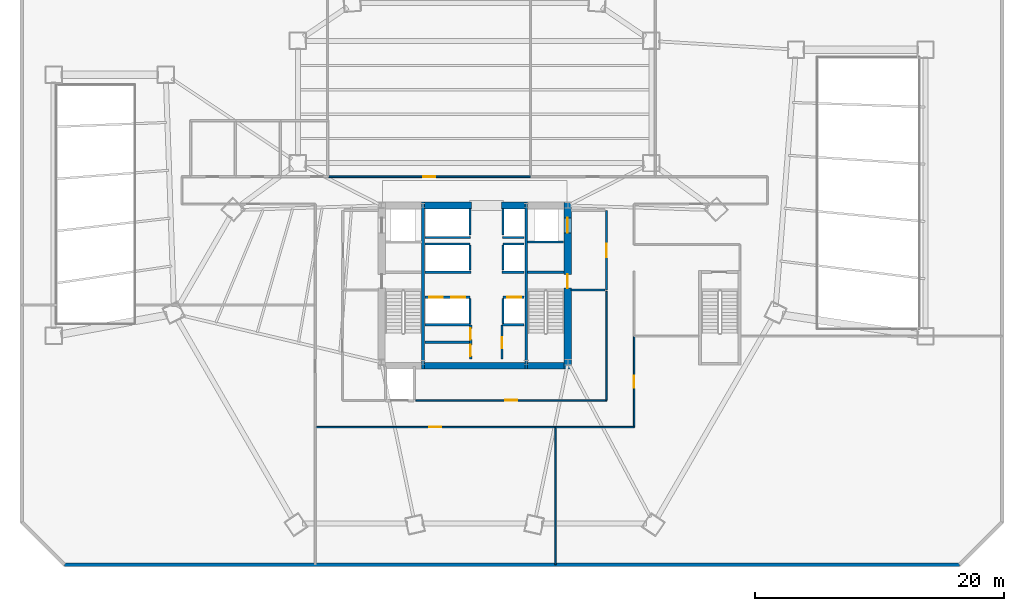
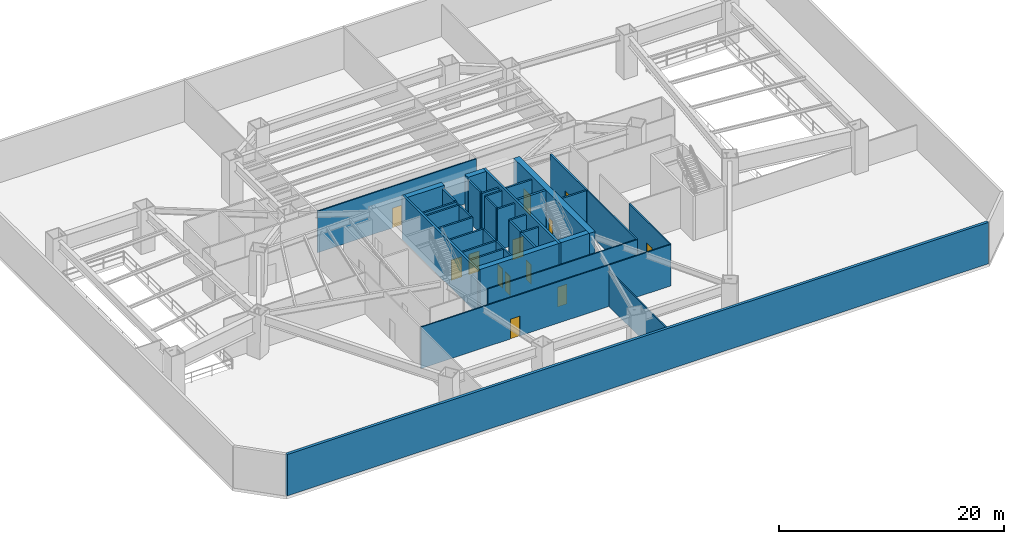
# One storey, part 6 of 11: 38 walls, 13 doors, 13 openings.
"""IFC4 building model written with IfcOpenShell, lengths in metres."""

from ifc_helpers import new_model, si_unit, direction, frame, frame_2d, origin, place, context, subcontext, project, spatial, rectangle, extrude, material, layer, layer_set, type_object, element, fill, save


model = new_model("IFC4")

# Units and contexts
model_context = context("Model", 3, precision=1e-05, world=origin(), true_north=direction((0.0, 1.0)))
body_context = subcontext(model_context, "Body", "Model", "MODEL_VIEW")
ifc_project = project(units=[si_unit("LENGTHUNIT", "METRE"), si_unit("AREAUNIT", "SQUARE_METRE"), si_unit("VOLUMEUNIT", "CUBIC_METRE"), si_unit("PLANEANGLEUNIT", "RADIAN"), si_unit("MASSUNIT", "GRAM", prefix="KILO")], contexts=[model_context])

# Site, building, storey
site_placement = place(None, origin())
site = spatial("IfcSite", under=ifc_project, at=site_placement, CompositionType="ELEMENT")
building_placement = place(site_placement, origin())
building = spatial("IfcBuilding", under=site, at=building_placement, Name="Caelisora Broadcast Tower", CompositionType="ELEMENT")
storey_placement = place(building_placement, frame((0.0, 0.0, 5.39990234375)))
storey = spatial("IfcBuildingStorey", under=building, at=storey_placement, Name="L01", CompositionType="ELEMENT", Elevation=5.39990234375)

# Wall, openings, doors
ifc_material_1 = material(Name="Concrete 65 MPa (AS 3600 S65)", Category="concrete")
ifc_layer_1 = layer(ifc_material_1, 0.60009765625, Name="Concrete 65 MPa (AS 3600 S65)")
ifc_layer_set_1 = layer_set([ifc_layer_1], Name="Concrete 65 MPa (AS 3600 S65)")
wall_type_1 = type_object("IfcWallType", Name="CW1", PredefinedType="SHEAR", material=ifc_layer_set_1)
wall_1_placement = place(storey_placement, frame((45.4599609375, 16.85009765625, 0.0), z_axis=(0.0, 0.0, 1.0), x_axis=(0.0, 1.0, 0.0)))
wall_1 = element("IfcWall", 1, at=wall_1_placement, inside=storey, type_object=wall_type_1, Name="L01 core shear wall CW1", PredefinedType="SHEAR", context=body_context, shape_type="SweptSolid", body=[
    extrude(rectangle(XDim=13.4248046875, YDim=0.60009765625, at=frame_2d((6.71240234375, 0.0))), origin(), (0.0, 0.0, 1.0), 4.800048828125),
])
opening_1_placement = place(wall_1_placement, frame((6.5, 0.0, 0.0)))
opening_1 = element("IfcOpeningElement", 2, at=opening_1_placement, cuts=wall_1, Name="Opening FD04", PredefinedType="OPENING", context=body_context, shape_type="SweptSolid", body=[
    extrude(rectangle(XDim=1.1201171875, YDim=2.14990234375, at=frame_2d((0.56005859375, 1.074951171875))), frame((0.0, 0.31201171875, 0.0), z_axis=(0.0, -1.0, 0.0), x_axis=(1.0, 0.0, 0.0)), (0.0, 0.0, 1.0), 0.6240234375),
])
opening_2_placement = place(wall_1_placement, frame((10.949951171875, 0.0, 0.0)))
opening_2 = element("IfcOpeningElement", 3, at=opening_2_placement, cuts=wall_1, Name="Opening LD04", PredefinedType="OPENING", context=body_context, shape_type="SweptSolid", body=[
    extrude(rectangle(XDim=1.199951171875, YDim=2.199951171875, at=frame_2d((0.60009765625, 1.10009765625))), frame((0.0, 0.31201171875, 0.0), z_axis=(0.0, -1.0, 0.0), x_axis=(1.0, 0.0, 0.0)), (0.0, 0.0, 1.0), 0.6240234375),
])
ifc_material_2 = material(Name="Pressurised Fire-Isolated Stair Door", Category="steel")
door_type_1 = type_object("IfcDoorType", Name="FD04", OperationType="NOTDEFINED", PredefinedType="DOOR", material=ifc_material_2)
door_1_placement = place(opening_1_placement, origin())
door_1 = element("IfcDoor", 4, at=door_1_placement, inside=storey, type_object=door_type_1, Name="L01 door FD04 (L01-DR-ST2)", OperationType="SINGLE_SWING_RIGHT", OverallHeight=2.14990234375, OverallWidth=1.1201171875, PredefinedType="DOOR", context=body_context, shape_type="SweptSolid", body=[
    extrude(rectangle(XDim=1.1201171875, YDim=2.14990234375, at=frame_2d((0.56005859375, 1.074951171875))), frame((0.0, 0.02490234375, 0.0), z_axis=(0.0, -1.0, 0.0), x_axis=(1.0, 0.0, 0.0)), (0.0, 0.0, 1.0), 0.050048828125),
])
fill(opening_1, door_1)
ifc_material_3 = material(Name="Emergency Firefighting Lift Sliding Landing Door", Category="steel")
door_type_2 = type_object("IfcDoorType", Name="LD04", OperationType="NOTDEFINED", PredefinedType="DOOR", material=ifc_material_3)
door_2_placement = place(opening_2_placement, origin())
door_2 = element("IfcDoor", 5, at=door_2_placement, inside=storey, type_object=door_type_2, Name="L01 door LD04 (L01-LD-FFL2)", OperationType="SLIDING_TO_RIGHT", OverallHeight=2.199951171875, OverallWidth=1.199951171875, PredefinedType="DOOR", context=body_context, shape_type="SweptSolid", body=[
    extrude(rectangle(XDim=1.199951171875, YDim=2.199951171875, at=frame_2d((0.60009765625, 1.10009765625))), frame((0.0, 0.02490234375, 0.0), z_axis=(0.0, -1.0, 0.0), x_axis=(1.0, 0.0, 0.0)), (0.0, 0.0, 1.0), 0.050048828125),
])
fill(opening_2, door_2)

# Walls
ifc_layer_2 = layer(ifc_material_1, 0.550048828125, Name="Concrete 65 MPa (AS 3600 S65)")
ifc_layer_set_2 = layer_set([ifc_layer_2], Name="Concrete 65 MPa (AS 3600 S65)")
wall_type_2 = type_object("IfcWallType", Name="CW4", PredefinedType="SHEAR", material=ifc_layer_set_2)
wall_2_placement = place(storey_placement, frame((33.9599609375, 17.125, 0.0), z_axis=(0.0, 0.0, 1.0), x_axis=(1.0, 0.0, 0.0)))
element("IfcWall", 6, at=wall_2_placement, inside=storey, type_object=wall_type_2, Name="L01 core shear wall CW4", PredefinedType="SHEAR", context=body_context, shape_type="SweptSolid", body=[
    extrude(rectangle(XDim=8.080078125, YDim=0.550048828125, at=frame_2d((4.0400390625, 0.0))), origin(), (0.0, 0.0, 1.0), 4.800048828125),
])
wall_3_placement = place(storey_placement, frame((42.260009765625, 17.125, 0.0), z_axis=(0.0, 0.0, 1.0), x_axis=(1.0, 0.0, 0.0)))
element("IfcWall", 7, at=wall_3_placement, inside=storey, type_object=wall_type_2, Name="L01 core shear wall CW4", PredefinedType="SHEAR", context=body_context, shape_type="SweptSolid", body=[
    extrude(rectangle(XDim=2.89990234375, YDim=0.550048828125, at=frame_2d((1.449951171875, 0.0))), origin(), (0.0, 0.0, 1.0), 4.800048828125),
])
wall_4_placement = place(storey_placement, frame((33.9599609375, 30.0, 0.0), z_axis=(0.0, 0.0, 1.0), x_axis=(1.0, 0.0, 0.0)))
element("IfcWall", 8, at=wall_4_placement, inside=storey, type_object=wall_type_2, Name="L01 core shear wall CW4", PredefinedType="SHEAR", context=body_context, shape_type="SweptSolid", body=[
    extrude(rectangle(XDim=3.780029296875, YDim=0.550048828125, at=frame_2d((1.89013671875, 0.0))), origin(), (0.0, 0.0, 1.0), 4.800048828125),
])
wall_5_placement = place(storey_placement, frame((40.159912109375, 30.0, 0.0), z_axis=(0.0, 0.0, 1.0), x_axis=(1.0, 0.0, 0.0)))
element("IfcWall", 9, at=wall_5_placement, inside=storey, type_object=wall_type_2, Name="L01 core shear wall CW4", PredefinedType="SHEAR", context=body_context, shape_type="SweptSolid", body=[
    extrude(rectangle(XDim=1.880126953125, YDim=0.550048828125, at=frame_2d((0.93994140625, 0.0))), origin(), (0.0, 0.0, 1.0), 4.800048828125),
])
ifc_material_4 = material(Name="Concrete 50 MPa (AS 3600 S50)", Category="concrete")
ifc_layer_3 = layer(ifc_material_4, 0.219970703125, Name="Concrete 50 MPa (AS 3600 S50)")
ifc_layer_set_3 = layer_set([ifc_layer_3], Name="Concrete 50 MPa (AS 3600 S50)")
wall_type_3 = type_object("IfcWallType", Name="CW7", PredefinedType="SHEAR", material=ifc_layer_set_3)
for number, where, z_axis, x_axis, name in (
    (10, (33.85009765625, 16.85009765625, 0.0), (0.0, 0.0, 1.0), (0.0, 1.0, 0.0), "L01 core shear wall CW7"),
    (11, (42.14990234375, 16.85009765625, 0.0), (0.0, 0.0, 1.0), (0.0, 1.0, 0.0), "L01 core shear wall CW7"),
):
    element("IfcWall", number, at=place(storey_placement, frame(where, z_axis=z_axis, x_axis=x_axis)), inside=storey, type_object=wall_type_3, Name=name, PredefinedType="SHEAR", context=body_context, shape_type="SweptSolid", body=[
        extrude(rectangle(XDim=13.4248046875, YDim=0.219970703125, at=frame_2d((6.71240234375, 0.0))), origin(), (0.0, 0.0, 1.0), 4.800048828125),
    ])
wall_6_placement = place(storey_placement, frame((42.260009765625, 24.639892578125, 0.0), z_axis=(0.0, 0.0, 1.0), x_axis=(1.0, 0.0, 0.0)))
element("IfcWall", 12, at=wall_6_placement, inside=storey, type_object=wall_type_3, Name="L01 core shear wall CW7", PredefinedType="SHEAR", context=body_context, shape_type="SweptSolid", body=[
    extrude(rectangle(XDim=2.89990234375, YDim=0.219970703125, at=frame_2d((1.449951171875, 0.0))), origin(), (0.0, 0.0, 1.0), 4.800048828125),
])
ifc_material_5 = material(Name="Insulated Terracotta Spandrel Wall System", Category="masonry")
ifc_layer_4 = layer(ifc_material_5, 0.280029296875, Name="Insulated Terracotta Spandrel Wall System")
ifc_layer_set_4 = layer_set([ifc_layer_4], Name="Insulated Terracotta Spandrel Wall System")
wall_type_4 = type_object("IfcWallType", Name="EW1", PredefinedType="STANDARD", material=ifc_layer_set_4)
wall_7_placement = place(storey_placement, frame((76.9140625, 1.159912109375, 0.0), z_axis=(0.0, 0.0, 1.0), x_axis=(-1.0, 0.0, 0.0)))
element("IfcWall", 13, at=wall_7_placement, inside=storey, type_object=wall_type_4, Name="L01 exterior envelope wall EW1", PredefinedType="STANDARD", context=body_context, shape_type="SweptSolid", body=[
    extrude(rectangle(XDim=71.828125, YDim=0.280029296875, at=frame_2d((35.9140625, 0.0))), origin(), (0.0, 0.0, 1.0), 4.47998046875),
])

# Wall, openings, doors
ifc_material_6 = material(Name="Fire-Rated Gypsum Shaft and Compartment Wall", Category="gypsum")
ifc_layer_5 = layer(ifc_material_6, 0.179931640625, Name="Fire-Rated Gypsum Shaft and Compartment Wall")
ifc_layer_set_5 = layer_set([ifc_layer_5], Name="Fire-Rated Gypsum Shaft and Compartment Wall")
wall_type_5 = type_object("IfcWallType", Name="PW2", PredefinedType="PARTITIONING", material=ifc_layer_set_5)
wall_8_placement = place(storey_placement, frame((34.02001953125, 22.6201171875, 0.0), z_axis=(0.0, 0.0, 1.0), x_axis=(1.0, 0.0, 0.0)))
wall_8 = element("IfcWall", 14, at=wall_8_placement, inside=storey, type_object=wall_type_5, Name="L01 fire compartment wall PW2", PredefinedType="PARTITIONING", context=body_context, shape_type="SweptSolid", body=[
    extrude(rectangle(XDim=3.60009765625, YDim=0.179931640625, at=frame_2d((1.800048828125, 0.0))), origin(), (0.0, 0.0, 1.0), 4.47998046875),
])
opening_3_placement = place(wall_8_placement, frame((0.320068359375, 0.0, 0.0)))
opening_3 = element("IfcOpeningElement", 15, at=opening_3_placement, cuts=wall_8, Name="Opening LD01", PredefinedType="OPENING", context=body_context, shape_type="SweptSolid", body=[
    extrude(rectangle(XDim=1.10009765625, YDim=2.199951171875, at=frame_2d((0.550048828125, 1.10009765625))), frame((0.0, 0.10205078125, 0.0), z_axis=(0.0, -1.0, 0.0), x_axis=(1.0, 0.0, 0.0)), (0.0, 0.0, 1.0), 0.203857421875),
])
opening_4_placement = place(wall_8_placement, frame((2.1201171875, 0.0, 0.0)))
opening_4 = element("IfcOpeningElement", 16, at=opening_4_placement, cuts=wall_8, Name="Opening LD01", PredefinedType="OPENING", context=body_context, shape_type="SweptSolid", body=[
    extrude(rectangle(XDim=1.10009765625, YDim=2.199951171875, at=frame_2d((0.550048828125, 1.10009765625))), frame((0.0, 0.10205078125, 0.0), z_axis=(0.0, -1.0, 0.0), x_axis=(1.0, 0.0, 0.0)), (0.0, 0.0, 1.0), 0.203857421875),
])
ifc_material_7 = material(Name="Stainless Steel Centre-Parting Lift Landing Door", Category="steel")
door_type_3 = type_object("IfcDoorType", Name="LD01", OperationType="NOTDEFINED", PredefinedType="DOOR", material=ifc_material_7)
door_3_placement = place(opening_3_placement, origin())
door_3 = element("IfcDoor", 17, at=door_3_placement, inside=storey, type_object=door_type_3, Name="L01 door LD01 (L01-LD-PLL1)", OperationType="SLIDING_TO_LEFT", OverallHeight=2.199951171875, OverallWidth=1.10009765625, PredefinedType="DOOR", context=body_context, shape_type="SweptSolid", body=[
    extrude(rectangle(XDim=1.10009765625, YDim=2.199951171875, at=frame_2d((0.550048828125, 1.10009765625))), frame((0.0, 0.02490234375, 0.0), z_axis=(0.0, -1.0, 0.0), x_axis=(1.0, 0.0, 0.0)), (0.0, 0.0, 1.0), 0.050048828125),
])
fill(opening_3, door_3)
door_4_placement = place(opening_4_placement, origin())
door_4 = element("IfcDoor", 18, at=door_4_placement, inside=storey, type_object=door_type_3, Name="L01 door LD01 (L01-LD-PLL2)", OperationType="SLIDING_TO_RIGHT", OverallHeight=2.199951171875, OverallWidth=1.10009765625, PredefinedType="DOOR", context=body_context, shape_type="SweptSolid", body=[
    extrude(rectangle(XDim=1.10009765625, YDim=2.199951171875, at=frame_2d((0.550048828125, 1.10009765625))), frame((0.0, 0.02490234375, 0.0), z_axis=(0.0, -1.0, 0.0), x_axis=(1.0, 0.0, 0.0)), (0.0, 0.0, 1.0), 0.050048828125),
])
fill(opening_4, door_4)

# Wall, opening, door
wall_9_placement = place(storey_placement, frame((40.280029296875, 22.6201171875, 0.0), z_axis=(0.0, 0.0, 1.0), x_axis=(1.0, 0.0, 0.0)))
wall_9 = element("IfcWall", 19, at=wall_9_placement, inside=storey, type_object=wall_type_5, Name="L01 fire compartment wall PW2", PredefinedType="PARTITIONING", context=body_context, shape_type="SweptSolid", body=[
    extrude(rectangle(XDim=1.699951171875, YDim=0.179931640625, at=frame_2d((0.85009765625, 0.0))), origin(), (0.0, 0.0, 1.0), 4.47998046875),
])
opening_5_placement = place(wall_9_placement, frame((0.35009765625, 0.0, 0.0)))
opening_5 = element("IfcOpeningElement", 20, at=opening_5_placement, cuts=wall_9, Name="Opening LD01", PredefinedType="OPENING", context=body_context, shape_type="SweptSolid", body=[
    extrude(rectangle(XDim=1.10009765625, YDim=2.199951171875, at=frame_2d((0.550048828125, 1.10009765625))), frame((0.0, 0.10205078125, 0.0), z_axis=(0.0, -1.0, 0.0), x_axis=(1.0, 0.0, 0.0)), (0.0, 0.0, 1.0), 0.203857421875),
])
door_5_placement = place(opening_5_placement, origin())
door_5 = element("IfcDoor", 21, at=door_5_placement, inside=storey, type_object=door_type_3, Name="L01 door LD01 (L01-LD-PLL3)", OperationType="SLIDING_TO_LEFT", OverallHeight=2.199951171875, OverallWidth=1.10009765625, PredefinedType="DOOR", context=body_context, shape_type="SweptSolid", body=[
    extrude(rectangle(XDim=1.10009765625, YDim=2.199951171875, at=frame_2d((0.550048828125, 1.10009765625))), frame((0.0, 0.02490234375, 0.0), z_axis=(0.0, -1.0, 0.0), x_axis=(1.0, 0.0, 0.0)), (0.0, 0.0, 1.0), 0.050048828125),
])
fill(opening_5, door_5)

# Walls
for number, where, z_axis, x_axis, name in (
    (22, (37.6201171875, 20.52001953125, 0.0), (0.0, 0.0, 1.0), (0.0, 1.0, 0.0), "L01 fire compartment wall PW2"),
    (23, (40.280029296875, 20.52001953125, 0.0), (0.0, 0.0, 1.0), (0.0, 1.0, 0.0), "L01 fire compartment wall PW2"),
):
    element("IfcWall", number, at=place(storey_placement, frame(where, z_axis=z_axis, x_axis=x_axis)), inside=storey, type_object=wall_type_5, Name=name, PredefinedType="PARTITIONING", context=body_context, shape_type="SweptSolid", body=[
        extrude(rectangle(XDim=2.0, YDim=0.179931640625, at=frame_2d((1.0, 0.0))), origin(), (0.0, 0.0, 1.0), 4.47998046875),
    ])
wall_10_placement = place(storey_placement, frame((34.02001953125, 26.89990234375, 0.0), z_axis=(0.0, 0.0, 1.0), x_axis=(1.0, 0.0, 0.0)))
element("IfcWall", 24, at=wall_10_placement, inside=storey, type_object=wall_type_5, Name="L01 fire compartment wall PW2", PredefinedType="PARTITIONING", context=body_context, shape_type="SweptSolid", body=[
    extrude(rectangle(XDim=3.60009765625, YDim=0.179931640625, at=frame_2d((1.800048828125, 0.0))), origin(), (0.0, 0.0, 1.0), 4.47998046875),
])
wall_11_placement = place(storey_placement, frame((40.280029296875, 26.89990234375, 0.0), z_axis=(0.0, 0.0, 1.0), x_axis=(1.0, 0.0, 0.0)))
element("IfcWall", 25, at=wall_11_placement, inside=storey, type_object=wall_type_5, Name="L01 fire compartment wall PW2", PredefinedType="PARTITIONING", context=body_context, shape_type="SweptSolid", body=[
    extrude(rectangle(XDim=1.699951171875, YDim=0.179931640625, at=frame_2d((0.85009765625, 0.0))), origin(), (0.0, 0.0, 1.0), 4.47998046875),
])
for number, where, z_axis, x_axis, name in (
    (26, (37.6201171875, 24.800048828125, 0.0), (0.0, 0.0, 1.0), (0.0, 1.0, 0.0), "L01 fire compartment wall PW2"),
    (27, (40.280029296875, 24.800048828125, 0.0), (0.0, 0.0, 1.0), (0.0, 1.0, 0.0), "L01 fire compartment wall PW2"),
):
    element("IfcWall", number, at=place(storey_placement, frame(where, z_axis=z_axis, x_axis=x_axis)), inside=storey, type_object=wall_type_5, Name=name, PredefinedType="PARTITIONING", context=body_context, shape_type="SweptSolid", body=[
        extrude(rectangle(XDim=2.0, YDim=0.179931640625, at=frame_2d((1.0, 0.0))), origin(), (0.0, 0.0, 1.0), 4.47998046875),
    ])
wall_12_placement = place(storey_placement, frame((34.02001953125, 24.639892578125, 0.0), z_axis=(0.0, 0.0, 1.0), x_axis=(1.0, 0.0, 0.0)))
element("IfcWall", 28, at=wall_12_placement, inside=storey, type_object=wall_type_5, Name="L01 fire compartment wall PW2", PredefinedType="PARTITIONING", context=body_context, shape_type="SweptSolid", body=[
    extrude(rectangle(XDim=3.679931640625, YDim=0.179931640625, at=frame_2d((1.83984375, 0.0))), origin(), (0.0, 0.0, 1.0), 4.47998046875),
])
wall_13_placement = place(storey_placement, frame((40.199951171875, 24.639892578125, 0.0), z_axis=(0.0, 0.0, 1.0), x_axis=(1.0, 0.0, 0.0)))
element("IfcWall", 29, at=wall_13_placement, inside=storey, type_object=wall_type_5, Name="L01 fire compartment wall PW2", PredefinedType="PARTITIONING", context=body_context, shape_type="SweptSolid", body=[
    extrude(rectangle(XDim=1.780029296875, YDim=0.179931640625, at=frame_2d((0.89013671875, 0.0))), origin(), (0.0, 0.0, 1.0), 4.47998046875),
])
wall_14_placement = place(storey_placement, frame((34.02001953125, 27.419921875, 0.0), z_axis=(0.0, 0.0, 1.0), x_axis=(1.0, 0.0, 0.0)))
element("IfcWall", 30, at=wall_14_placement, inside=storey, type_object=wall_type_5, Name="L01 fire compartment wall PW2", PredefinedType="PARTITIONING", context=body_context, shape_type="SweptSolid", body=[
    extrude(rectangle(XDim=3.659912109375, YDim=0.179931640625, at=frame_2d((1.830078125, 0.0))), origin(), (0.0, 0.0, 1.0), 4.47998046875),
])
wall_15_placement = place(storey_placement, frame((40.219970703125, 27.419921875, 0.0), z_axis=(0.0, 0.0, 1.0), x_axis=(1.0, 0.0, 0.0)))
element("IfcWall", 31, at=wall_15_placement, inside=storey, type_object=wall_type_5, Name="L01 fire compartment wall PW2", PredefinedType="PARTITIONING", context=body_context, shape_type="SweptSolid", body=[
    extrude(rectangle(XDim=1.760009765625, YDim=0.179931640625, at=frame_2d((0.8798828125, 0.0))), origin(), (0.0, 0.0, 1.0), 4.47998046875),
])
for number, where, z_axis, x_axis, name in (
    (32, (37.6201171875, 27.639892578125, 0.0), (0.0, 0.0, 1.0), (0.0, 1.0, 0.0), "L01 fire compartment wall PW2"),
    (33, (40.280029296875, 27.639892578125, 0.0), (0.0, 0.0, 1.0), (0.0, 1.0, 0.0), "L01 fire compartment wall PW2"),
):
    element("IfcWall", number, at=place(storey_placement, frame(where, z_axis=z_axis, x_axis=x_axis)), inside=storey, type_object=wall_type_5, Name=name, PredefinedType="PARTITIONING", context=body_context, shape_type="SweptSolid", body=[
        extrude(rectangle(XDim=2.110107421875, YDim=0.179931640625, at=frame_2d((1.05517578125, 0.0))), origin(), (0.0, 0.0, 1.0), 4.47998046875),
    ])

# Wall, opening, door
wall_16_placement = place(storey_placement, frame((48.580078125, 23.199951171875, 0.0), z_axis=(0.0, 0.0, 1.0), x_axis=(0.0, 1.0, 0.0)))
wall_16 = element("IfcWall", 34, at=wall_16_placement, inside=storey, type_object=wall_type_5, Name="L01 fire compartment wall PW2", PredefinedType="PARTITIONING", context=body_context, shape_type="SweptSolid", body=[
    extrude(rectangle(XDim=6.400146484375, YDim=0.179931640625, at=frame_2d((3.2001953125, 0.0))), origin(), (0.0, 0.0, 1.0), 4.47998046875),
])
opening_6_placement = place(wall_16_placement, frame((2.64990234375, 0.0, 0.0)))
opening_6 = element("IfcOpeningElement", 35, at=opening_6_placement, cuts=wall_16, Name="Opening FD02", PredefinedType="OPENING", context=body_context, shape_type="SweptSolid", body=[
    extrude(rectangle(XDim=1.050048828125, YDim=2.14990234375, at=frame_2d((0.52490234375, 1.074951171875))), frame((0.0, 0.10205078125, 0.0), z_axis=(0.0, -1.0, 0.0), x_axis=(1.0, 0.0, 0.0)), (0.0, 0.0, 1.0), 0.203857421875),
])
ifc_material_8 = material(Name="Single-Leaf Steel Fire Lobby Door", Category="steel")
door_type_4 = type_object("IfcDoorType", Name="FD02", OperationType="NOTDEFINED", PredefinedType="DOOR", material=ifc_material_8)
door_6_placement = place(opening_6_placement, origin())
door_6 = element("IfcDoor", 36, at=door_6_placement, inside=storey, type_object=door_type_4, Name="L01 door FD02 (L01-DR-P04D1)", OperationType="SINGLE_SWING_LEFT", OverallHeight=2.14990234375, OverallWidth=1.050048828125, PredefinedType="DOOR", context=body_context, shape_type="SweptSolid", body=[
    extrude(rectangle(XDim=1.050048828125, YDim=2.14990234375, at=frame_2d((0.52490234375, 1.074951171875))), frame((0.0, 0.02490234375, 0.0), z_axis=(0.0, -1.0, 0.0), x_axis=(1.0, 0.0, 0.0)), (0.0, 0.0, 1.0), 0.050048828125),
])
fill(opening_6, door_6)

# Walls
wall_17_placement = place(storey_placement, frame((45.719970703125, 23.199951171875, 0.0), z_axis=(0.0, 0.0, 1.0), x_axis=(1.0, 0.0, 0.0)))
element("IfcWall", 37, at=wall_17_placement, inside=storey, type_object=wall_type_5, Name="L01 fire compartment wall PW2", PredefinedType="PARTITIONING", context=body_context, shape_type="SweptSolid", body=[
    extrude(rectangle(XDim=2.760009765625, YDim=0.179931640625, at=frame_2d((1.3798828125, 0.0))), origin(), (0.0, 0.0, 1.0), 4.47998046875),
])
wall_18_placement = place(storey_placement, frame((42.239990234375, 27.070068359375, 0.0), z_axis=(0.0, 0.0, 1.0), x_axis=(1.0, 0.0, 0.0)))
element("IfcWall", 38, at=wall_18_placement, inside=storey, type_object=wall_type_5, Name="L01 fire compartment wall PW2", PredefinedType="PARTITIONING", context=body_context, shape_type="SweptSolid", body=[
    extrude(rectangle(XDim=2.89990234375, YDim=0.179931640625, at=frame_2d((1.449951171875, 0.0))), origin(), (0.0, 0.0, 1.0), 4.47998046875),
])
wall_19_placement = place(storey_placement, frame((34.02001953125, 20.419921875, 0.0), z_axis=(0.0, 0.0, 1.0), x_axis=(1.0, 0.0, 0.0)))
element("IfcWall", 39, at=wall_19_placement, inside=storey, type_object=wall_type_5, Name="L01 fire compartment wall PW2", PredefinedType="PARTITIONING", context=body_context, shape_type="SweptSolid", body=[
    extrude(rectangle(XDim=3.639892578125, YDim=0.179931640625, at=frame_2d((1.81982421875, 0.0))), origin(), (0.0, 0.0, 1.0), 4.47998046875),
])
wall_20_placement = place(storey_placement, frame((40.219970703125, 20.419921875, 0.0), z_axis=(0.0, 0.0, 1.0), x_axis=(1.0, 0.0, 0.0)))
element("IfcWall", 40, at=wall_20_placement, inside=storey, type_object=wall_type_5, Name="L01 fire compartment wall PW2", PredefinedType="PARTITIONING", context=body_context, shape_type="SweptSolid", body=[
    extrude(rectangle(XDim=1.760009765625, YDim=0.179931640625, at=frame_2d((0.8798828125, 0.0))), origin(), (0.0, 0.0, 1.0), 4.47998046875),
])
wall_21_placement = place(storey_placement, frame((34.02001953125, 19.02001953125, 0.0), z_axis=(0.0, 0.0, 1.0), x_axis=(1.0, 0.0, 0.0)))
element("IfcWall", 41, at=wall_21_placement, inside=storey, type_object=wall_type_5, Name="L01 fire compartment wall PW2", PredefinedType="PARTITIONING", context=body_context, shape_type="SweptSolid", body=[
    extrude(rectangle(XDim=3.580078125, YDim=0.179931640625, at=frame_2d((1.7900390625, 0.0))), origin(), (0.0, 0.0, 1.0), 4.47998046875),
])

# Wall, openings, doors
wall_22_placement = place(storey_placement, frame((37.679931640625, 17.679931640625, 0.0), z_axis=(0.0, 0.0, 1.0), x_axis=(0.0, 1.0, 0.0)))
wall_22 = element("IfcWall", 42, at=wall_22_placement, inside=storey, type_object=wall_type_5, Name="L01 fire compartment wall PW2", PredefinedType="PARTITIONING", context=body_context, shape_type="SweptSolid", body=[
    extrude(rectangle(XDim=2.699951171875, YDim=0.179931640625, at=frame_2d((1.35009765625, 0.0))), origin(), (0.0, 0.0, 1.0), 4.47998046875),
])
opening_7_placement = place(wall_22_placement, frame((0.219970703125, 0.0, 0.0)))
opening_7 = element("IfcOpeningElement", 43, at=opening_7_placement, cuts=wall_22, Name="Opening FD03", PredefinedType="OPENING", context=body_context, shape_type="SweptSolid", body=[
    extrude(rectangle(XDim=0.89990234375, YDim=2.10009765625, at=frame_2d((0.449951171875, 1.050048828125))), frame((0.0, 0.10205078125, 0.0), z_axis=(0.0, -1.0, 0.0), x_axis=(1.0, 0.0, 0.0)), (0.0, 0.0, 1.0), 0.203857421875),
])
opening_8_placement = place(wall_22_placement, frame((1.5400390625, 0.0, 0.0)))
opening_8 = element("IfcOpeningElement", 44, at=opening_8_placement, cuts=wall_22, Name="Opening FD03", PredefinedType="OPENING", context=body_context, shape_type="SweptSolid", body=[
    extrude(rectangle(XDim=0.89990234375, YDim=2.10009765625, at=frame_2d((0.449951171875, 1.050048828125))), frame((0.0, 0.10205078125, 0.0), z_axis=(0.0, -1.0, 0.0), x_axis=(1.0, 0.0, 0.0)), (0.0, 0.0, 1.0), 0.203857421875),
])
ifc_material_9 = material(Name="Single-Leaf Steel Riser Fire Access Door", Category="steel")
door_type_5 = type_object("IfcDoorType", Name="FD03", OperationType="NOTDEFINED", PredefinedType="DOOR", material=ifc_material_9)
door_7_placement = place(opening_7_placement, origin())
door_7 = element("IfcDoor", 45, at=door_7_placement, inside=storey, type_object=door_type_5, Name="L01 door FD03 (L01-DR-P12D1)", OperationType="SINGLE_SWING_RIGHT", OverallHeight=2.10009765625, OverallWidth=0.89990234375, PredefinedType="DOOR", context=body_context, shape_type="SweptSolid", body=[
    extrude(rectangle(XDim=0.89990234375, YDim=2.10009765625, at=frame_2d((0.449951171875, 1.050048828125))), frame((0.0, 0.02490234375, 0.0), z_axis=(0.0, -1.0, 0.0), x_axis=(1.0, 0.0, 0.0)), (0.0, 0.0, 1.0), 0.050048828125),
])
fill(opening_7, door_7)
door_8_placement = place(opening_8_placement, origin())
door_8 = element("IfcDoor", 46, at=door_8_placement, inside=storey, type_object=door_type_5, Name="L01 door FD03 (L01-DR-P12D2)", OperationType="SINGLE_SWING_LEFT", OverallHeight=2.10009765625, OverallWidth=0.89990234375, PredefinedType="DOOR", context=body_context, shape_type="SweptSolid", body=[
    extrude(rectangle(XDim=0.89990234375, YDim=2.10009765625, at=frame_2d((0.449951171875, 1.050048828125))), frame((0.0, 0.02490234375, 0.0), z_axis=(0.0, -1.0, 0.0), x_axis=(1.0, 0.0, 0.0)), (0.0, 0.0, 1.0), 0.050048828125),
])
fill(opening_8, door_8)

# Wall, opening, door
wall_23_placement = place(storey_placement, frame((40.199951171875, 17.679931640625, 0.0), z_axis=(0.0, 0.0, 1.0), x_axis=(0.0, 1.0, 0.0)))
wall_23 = element("IfcWall", 47, at=wall_23_placement, inside=storey, type_object=wall_type_5, Name="L01 fire compartment wall PW2", PredefinedType="PARTITIONING", context=body_context, shape_type="SweptSolid", body=[
    extrude(rectangle(XDim=2.699951171875, YDim=0.179931640625, at=frame_2d((1.35009765625, 0.0))), origin(), (0.0, 0.0, 1.0), 4.47998046875),
])
opening_9_placement = place(wall_23_placement, frame((0.85009765625, 0.0, 0.0)))
opening_9 = element("IfcOpeningElement", 48, at=opening_9_placement, cuts=wall_23, Name="Opening FD03", PredefinedType="OPENING", context=body_context, shape_type="SweptSolid", body=[
    extrude(rectangle(XDim=0.89990234375, YDim=2.10009765625, at=frame_2d((0.449951171875, 1.050048828125))), frame((0.0, 0.10205078125, 0.0), z_axis=(0.0, -1.0, 0.0), x_axis=(1.0, 0.0, 0.0)), (0.0, 0.0, 1.0), 0.203857421875),
])
door_9_placement = place(opening_9_placement, origin())
door_9 = element("IfcDoor", 49, at=door_9_placement, inside=storey, type_object=door_type_5, Name="L01 door FD03 (L01-DR-P13D1)", OperationType="SINGLE_SWING_RIGHT", OverallHeight=2.10009765625, OverallWidth=0.89990234375, PredefinedType="DOOR", context=body_context, shape_type="SweptSolid", body=[
    extrude(rectangle(XDim=0.89990234375, YDim=2.10009765625, at=frame_2d((0.449951171875, 1.050048828125))), frame((0.0, 0.02490234375, 0.0), z_axis=(0.0, -1.0, 0.0), x_axis=(1.0, 0.0, 0.0)), (0.0, 0.0, 1.0), 0.050048828125),
])
fill(opening_9, door_9)

ifc_material_10 = material(Name="Acoustic Steel-Stud Plasterboard Partition", Category="gypsum")
ifc_layer_6 = layer(ifc_material_10, 0.1298828125, Name="Acoustic Steel-Stud Plasterboard Partition")
ifc_layer_set_6 = layer_set([ifc_layer_6], Name="Acoustic Steel-Stud Plasterboard Partition")
wall_type_6 = type_object("IfcWallType", Name="PW3", PredefinedType="PARTITIONING", material=ifc_layer_set_6)
wall_24_placement = place(storey_placement, frame((25.205078125, 12.199951171875, 0.0), z_axis=(0.0, 0.0, 1.0), x_axis=(1.0, 0.0, 0.0)))
wall_24 = element("IfcWall", 50, at=wall_24_placement, inside=storey, type_object=wall_type_6, Name="L01 internal partition PW3", PredefinedType="PARTITIONING", context=body_context, shape_type="SweptSolid", body=[
    extrude(rectangle(XDim=19.2900390625, YDim=0.1298828125, at=frame_2d((9.64501953125, 0.0))), origin(), (0.0, 0.0, 1.0), 4.47998046875),
])
opening_10_placement = place(wall_24_placement, frame((9.1650390625, 0.0, 0.0)))
opening_10 = element("IfcOpeningElement", 51, at=opening_10_placement, cuts=wall_24, Name="Opening D01", PredefinedType="OPENING", context=body_context, shape_type="SweptSolid", body=[
    extrude(rectangle(XDim=0.9599609375, YDim=2.14990234375, at=frame_2d((0.47998046875, 1.074951171875))), frame((0.0, 0.076904296875, 0.0), z_axis=(0.0, -1.0, 0.0), x_axis=(1.0, 0.0, 0.0)), (0.0, 0.0, 1.0), 0.15380859375),
])
ifc_material_11 = material(Name="Solid-Core Timber Acoustic Office Door", Category="wood")
door_type_6 = type_object("IfcDoorType", Name="D01", OperationType="NOTDEFINED", PredefinedType="DOOR", material=ifc_material_11)
door_10_placement = place(opening_10_placement, origin())
door_10 = element("IfcDoor", 52, at=door_10_placement, inside=storey, type_object=door_type_6, Name="L01 door D01 (L01-DR-P27D1)", OperationType="SINGLE_SWING_RIGHT", OverallHeight=2.14990234375, OverallWidth=0.9599609375, PredefinedType="DOOR", context=body_context, shape_type="SweptSolid", body=[
    extrude(rectangle(XDim=0.9599609375, YDim=2.14990234375, at=frame_2d((0.47998046875, 1.074951171875))), frame((0.0, 0.02490234375, 0.0), z_axis=(0.0, -1.0, 0.0), x_axis=(1.0, 0.0, 0.0)), (0.0, 0.0, 1.0), 0.050048828125),
])
fill(opening_10, door_10)

wall_25_placement = place(storey_placement, frame((26.205078125, 32.300048828125, 0.0), z_axis=(0.0, 0.0, 1.0), x_axis=(1.0, 0.0, 0.0)))
wall_25 = element("IfcWall", 53, at=wall_25_placement, inside=storey, type_object=wall_type_6, Name="L01 internal partition PW3", PredefinedType="PARTITIONING", context=body_context, shape_type="SweptSolid", body=[
    extrude(rectangle(XDim=16.2900390625, YDim=0.1298828125, at=frame_2d((8.14501953125, 0.0))), origin(), (0.0, 0.0, 1.0), 4.47998046875),
])
opening_11_placement = place(wall_25_placement, frame((7.6650390625, 0.0, 0.0)))
opening_11 = element("IfcOpeningElement", 54, at=opening_11_placement, cuts=wall_25, Name="Opening D01", PredefinedType="OPENING", context=body_context, shape_type="SweptSolid", body=[
    extrude(rectangle(XDim=0.9599609375, YDim=2.14990234375, at=frame_2d((0.47998046875, 1.074951171875))), frame((0.0, 0.076904296875, 0.0), z_axis=(0.0, -1.0, 0.0), x_axis=(1.0, 0.0, 0.0)), (0.0, 0.0, 1.0), 0.15380859375),
])
door_11_placement = place(opening_11_placement, origin())
door_11 = element("IfcDoor", 55, at=door_11_placement, inside=storey, type_object=door_type_6, Name="L01 door D01 (L01-DR-P29D1)", OperationType="SINGLE_SWING_LEFT", OverallHeight=2.14990234375, OverallWidth=0.9599609375, PredefinedType="DOOR", context=body_context, shape_type="SweptSolid", body=[
    extrude(rectangle(XDim=0.9599609375, YDim=2.14990234375, at=frame_2d((0.47998046875, 1.074951171875))), frame((0.0, 0.02490234375, 0.0), z_axis=(0.0, -1.0, 0.0), x_axis=(1.0, 0.0, 0.0)), (0.0, 0.0, 1.0), 0.050048828125),
])
fill(opening_11, door_11)

wall_26_placement = place(storey_placement, frame((33.27490234375, 14.35009765625, 0.0), z_axis=(0.0, 0.0, 1.0), x_axis=(1.0, 0.0, 0.0)))
wall_26 = element("IfcWall", 56, at=wall_26_placement, inside=storey, type_object=wall_type_6, Name="L01 internal partition PW3", PredefinedType="PARTITIONING", context=body_context, shape_type="SweptSolid", body=[
    extrude(rectangle(XDim=15.320068359375, YDim=0.1298828125, at=frame_2d((7.66015625, 0.0))), origin(), (0.0, 0.0, 1.0), 4.47998046875),
])
opening_12_placement = place(wall_26_placement, frame((7.179931640625, 0.0, 0.0)))
opening_12 = element("IfcOpeningElement", 57, at=opening_12_placement, cuts=wall_26, Name="Opening D01", PredefinedType="OPENING", context=body_context, shape_type="SweptSolid", body=[
    extrude(rectangle(XDim=0.9599609375, YDim=2.14990234375, at=frame_2d((0.47998046875, 1.074951171875))), frame((0.0, 0.076904296875, 0.0), z_axis=(0.0, -1.0, 0.0), x_axis=(1.0, 0.0, 0.0)), (0.0, 0.0, 1.0), 0.15380859375),
])
door_12_placement = place(opening_12_placement, origin())
door_12 = element("IfcDoor", 58, at=door_12_placement, inside=storey, type_object=door_type_6, Name="L01 door D01 (L01-DR-P30D1)", OperationType="SINGLE_SWING_RIGHT", OverallHeight=2.14990234375, OverallWidth=0.9599609375, PredefinedType="DOOR", context=body_context, shape_type="SweptSolid", body=[
    extrude(rectangle(XDim=0.9599609375, YDim=2.14990234375, at=frame_2d((0.47998046875, 1.074951171875))), frame((0.0, 0.02490234375, 0.0), z_axis=(0.0, -1.0, 0.0), x_axis=(1.0, 0.0, 0.0)), (0.0, 0.0, 1.0), 0.050048828125),
])
fill(opening_12, door_12)

# Walls
wall_27_placement = place(storey_placement, frame((44.5, 1.159912109375, 0.0), z_axis=(0.0, 0.0, 1.0), x_axis=(0.0, 1.0, 0.0)))
element("IfcWall", 59, at=wall_27_placement, inside=storey, type_object=wall_type_6, Name="L01 internal partition PW3", PredefinedType="PARTITIONING", context=body_context, shape_type="SweptSolid", body=[
    extrude(rectangle(XDim=11.03515625, YDim=0.1298828125, at=frame_2d((5.517578125, 0.0))), origin(), (0.0, 0.0, 1.0), 3.853515625),
])
wall_28_placement = place(storey_placement, frame((48.60009765625, 14.35498046875, 0.0), z_axis=(0.0, 0.0, 1.0), x_axis=(0.0, 1.0, 0.0)))
element("IfcWall", 60, at=wall_28_placement, inside=storey, type_object=wall_type_6, Name="L01 internal partition PW3", PredefinedType="PARTITIONING", context=body_context, shape_type="SweptSolid", body=[
    extrude(rectangle(XDim=8.75, YDim=0.1298828125, at=frame_2d((4.375, 0.0))), origin(), (0.0, 0.0, 1.0), 4.47998046875),
])

# Wall, opening, door
wall_29_placement = place(storey_placement, frame((50.800048828125, 12.205078125, 0.0), z_axis=(0.0, 0.0, 1.0), x_axis=(0.0, 1.0, 0.0)))
wall_29 = element("IfcWall", 61, at=wall_29_placement, inside=storey, type_object=wall_type_6, Name="L01 internal partition PW3", PredefinedType="PARTITIONING", context=body_context, shape_type="SweptSolid", body=[
    extrude(rectangle(XDim=7.2900390625, YDim=0.1298828125, at=frame_2d((3.64501953125, 0.0))), origin(), (0.0, 0.0, 1.0), 4.47998046875),
])
opening_13_placement = place(wall_29_placement, frame((3.1650390625, 0.0, 0.0)))
opening_13 = element("IfcOpeningElement", 62, at=opening_13_placement, cuts=wall_29, Name="Opening D01", PredefinedType="OPENING", context=body_context, shape_type="SweptSolid", body=[
    extrude(rectangle(XDim=0.9599609375, YDim=2.14990234375, at=frame_2d((0.47998046875, 1.074951171875))), frame((0.0, 0.076904296875, 0.0), z_axis=(0.0, -1.0, 0.0), x_axis=(1.0, 0.0, 0.0)), (0.0, 0.0, 1.0), 0.15380859375),
])
door_13_placement = place(opening_13_placement, origin())
door_13 = element("IfcDoor", 63, at=door_13_placement, inside=storey, type_object=door_type_6, Name="L01 door D01 (L01-DR-P46D1)", OperationType="SINGLE_SWING_RIGHT", OverallHeight=2.14990234375, OverallWidth=0.9599609375, PredefinedType="DOOR", context=body_context, shape_type="SweptSolid", body=[
    extrude(rectangle(XDim=0.9599609375, YDim=2.14990234375, at=frame_2d((0.47998046875, 1.074951171875))), frame((0.0, 0.02490234375, 0.0), z_axis=(0.0, -1.0, 0.0), x_axis=(1.0, 0.0, 0.0)), (0.0, 0.0, 1.0), 0.050048828125),
])
fill(opening_13, door_13)

# Wall
wall_30_placement = place(storey_placement, frame((44.5048828125, 12.199951171875, 0.0), z_axis=(0.0, 0.0, 1.0), x_axis=(1.0, 0.0, 0.0)))
element("IfcWall", 64, at=wall_30_placement, inside=storey, type_object=wall_type_6, Name="L01 internal partition PW3", PredefinedType="PARTITIONING", context=body_context, shape_type="SweptSolid", body=[
    extrude(rectangle(XDim=6.2900390625, YDim=0.1298828125, at=frame_2d((3.14501953125, 0.0))), origin(), (0.0, 0.0, 1.0), 4.47998046875),
])

save(model, "model.ifc")
